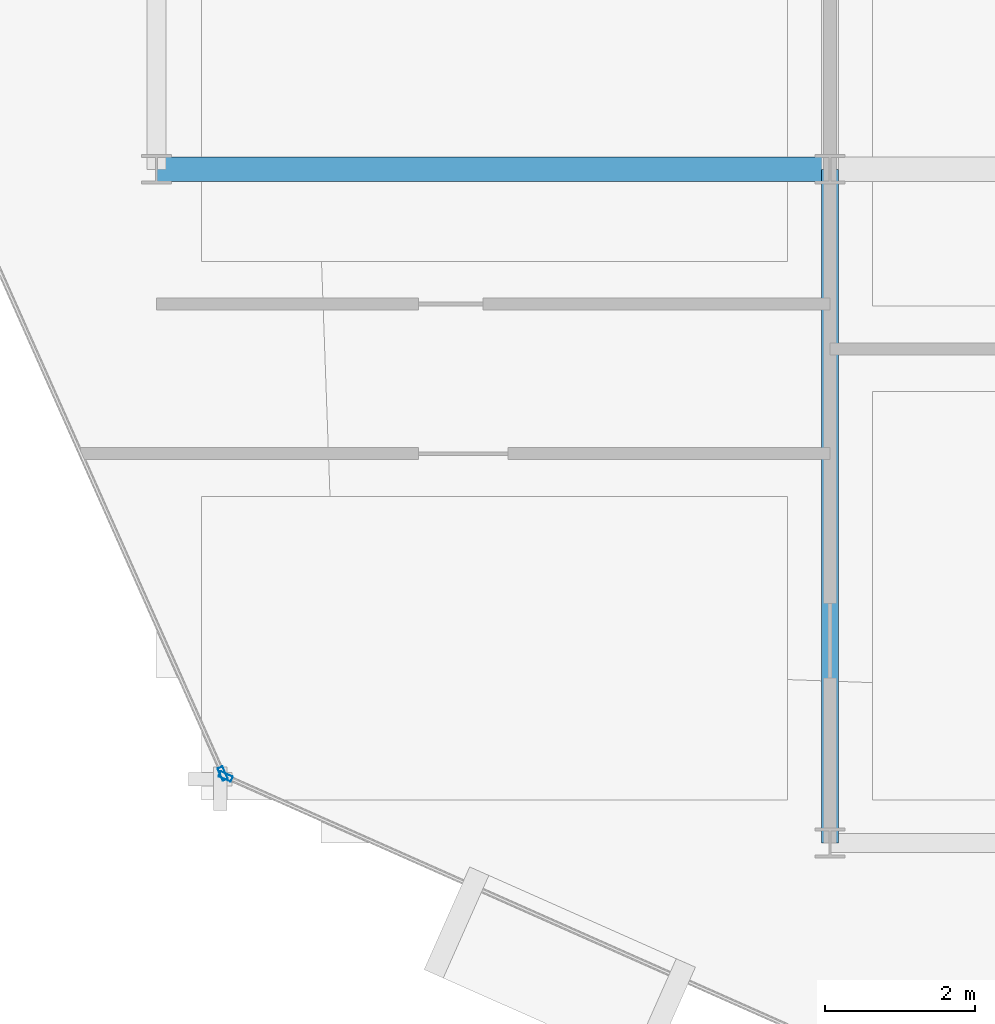
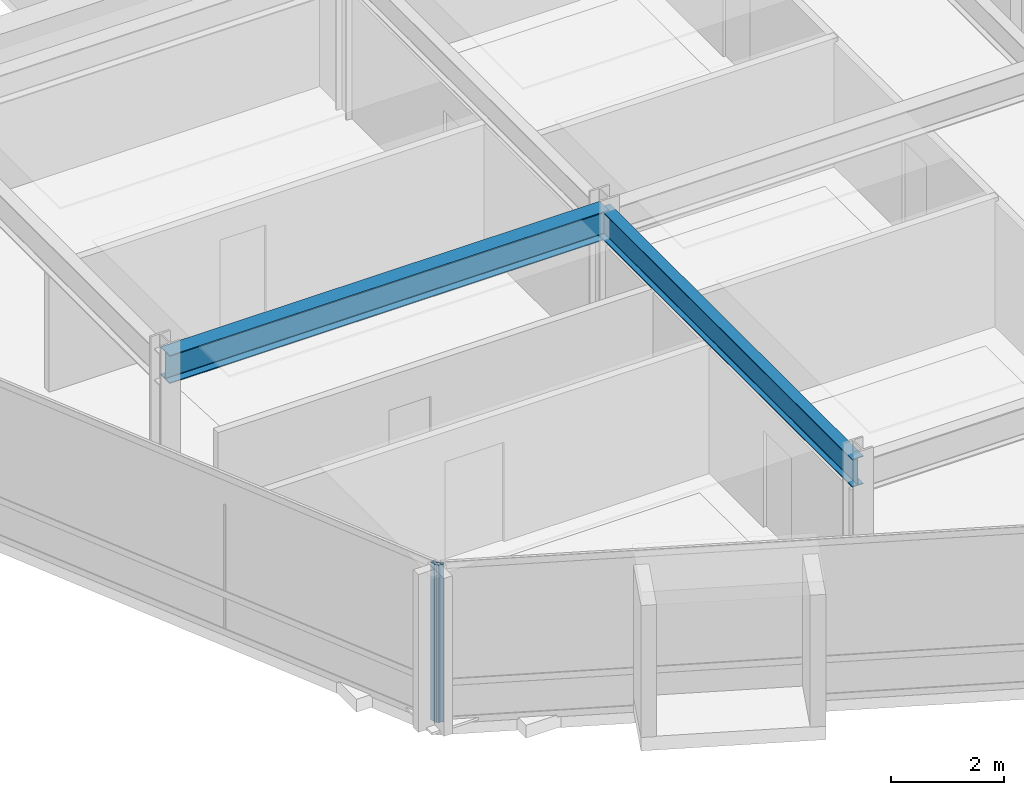
# One storey, part 2 of 28: 2 beams, 2 members, 2 elements without a shape of their own.
"""IFC4 building model written with IfcOpenShell, lengths in metres."""

from ifc_helpers import new_model, si_unit, direction, frame, origin, origin_2d, place, context, subcontext, project, spatial, hollow_rectangle, i_section, extrude, material, layer, layer_set, material_profile, profile_set, type_object, element, aggregate, save


model = new_model("IFC4")

# Units and contexts
model_context = context("Model", 3, precision=1e-05, world=origin(), true_north=direction((0.0, 1.0)))
body_context = subcontext(model_context, "Body", "Model", "MODEL_VIEW")
ifc_project = project(units=[si_unit("LENGTHUNIT", "METRE"), si_unit("AREAUNIT", "SQUARE_METRE"), si_unit("VOLUMEUNIT", "CUBIC_METRE"), si_unit("PLANEANGLEUNIT", "RADIAN"), si_unit("MASSUNIT", "GRAM", prefix="KILO")], contexts=[model_context])

# Site, building, storey
site_placement = place(None, origin())
site = spatial("IfcSite", under=ifc_project, at=site_placement, CompositionType="ELEMENT")
building_placement = place(site_placement, origin())
building = spatial("IfcBuilding", under=site, at=building_placement, Name="Solvaryn Broadcast Tower", CompositionType="ELEMENT")
storey_placement = place(building_placement, frame((0.0, 0.0, 213.60009765625)))
storey = spatial("IfcBuildingStorey", under=building, at=storey_placement, Name="L53", CompositionType="ELEMENT", Elevation=213.60009765625)

# Beams
ifc_material_1 = material(Name="Steel ASTM A992 Grade 50", Category="steel")
ifc_material_profile_1 = material_profile(ifc_material_1, i_section(OverallWidth=0.323974609375, OverallDepth=0.611083984375, WebThickness=0.0126953125, FlangeThickness=0.01904296875, FilletRadius=0.014892578125, at=origin_2d()))
ifc_profile_set_1 = profile_set([ifc_material_profile_1], Name="Steel ASTM A992 Grade 50")
beam_type_1 = type_object("IfcBeamType", Name="BM-B1-W24X104", PredefinedType="BEAM", material=ifc_profile_set_1)
beam_1_placement = place(storey_placement, frame((9.0, 18.0, 3.114501953125), z_axis=(1.0, 0.0, 0.0), x_axis=(0.0, 1.0, 0.0)))
element("IfcBeam", 1, at=beam_1_placement, inside=storey, type_object=beam_type_1, Name="L53 Primary Beam X (9-18 @ Y=18)", PredefinedType="BEAM", context=body_context, shape_type="SweptSolid", body=[
    extrude(i_section(OverallWidth=0.323974609375, OverallDepth=0.611083984375, WebThickness=0.0126953125, FlangeThickness=0.01904296875, FilletRadius=0.014892578125, at=origin_2d()), origin(), (0.0, 0.0, 1.0), 9.0),
])
ifc_material_2 = material(Name="Steel ASTM A992 Grade 50", Category="steel")
ifc_material_profile_2 = material_profile(ifc_material_2, i_section(OverallWidth=0.22802734375, OverallDepth=0.60791015625, WebThickness=0.01123046875, FlangeThickness=0.017333984375, FilletRadius=0.014892578125, at=origin_2d()))
ifc_profile_set_2 = profile_set([ifc_material_profile_2], Name="Steel ASTM A992 Grade 50")
beam_type_2 = type_object("IfcBeamType", Name="BM-B2-W24X76", PredefinedType="BEAM", material=ifc_profile_set_2)
beam_2_placement = place(storey_placement, frame((18.0, 9.0, 3.115966796875), z_axis=(0.0, 1.0, 0.0), x_axis=(-1.0, 0.0, 0.0)))
element("IfcBeam", 2, at=beam_2_placement, inside=storey, type_object=beam_type_2, Name="L53 Primary Beam Y (9-18 @ X=18)", PredefinedType="BEAM", context=body_context, shape_type="SweptSolid", body=[
    extrude(i_section(OverallWidth=0.22802734375, OverallDepth=0.60791015625, WebThickness=0.01123046875, FlangeThickness=0.017333984375, FilletRadius=0.014892578125, at=origin_2d()), origin(), (0.0, 0.0, 1.0), 9.0),
])

# Curtain wall, member
ifc_material_3 = material(Name="Aluminium and Terracotta Unitised Curtain Wall", Category="masonry")
ifc_layer = layer(ifc_material_3, 0.199951171875)
ifc_layer_set = layer_set([ifc_layer], Name="CW-SYS2-LOWMID")
curtain_wall_type = type_object("IfcCurtainWallType", Name="CW-SYS2-LOWMID", PredefinedType="NOTDEFINED", material=ifc_layer_set)
curtain_wall_1_placement = place(storey_placement, origin())
curtain_wall_1 = element("IfcCurtainWall", 3, at=curtain_wall_1_placement, inside=storey, type_object=curtain_wall_type, Name="L53 Curtain Wall DR2", PredefinedType="NOTDEFINED")
ifc_material_4 = material(Name="Anodised Aluminium 6063-T6", Category="aluminium")
ifc_material_profile_3 = material_profile(ifc_material_4, hollow_rectangle(XDim=0.074951171875, YDim=0.179931640625, WallThickness=0.00390625, InnerFilletRadius=0.00390625, OuterFilletRadius=0.008056640625, at=origin_2d()))
ifc_profile_set_3 = profile_set([ifc_material_profile_3], Name="Anodised Aluminium 6063-T6")
member_type = type_object("IfcMemberType", Name="CW-MUL-180", PredefinedType="MULLION", material=ifc_profile_set_3)
member_1_placement = place(storey_placement, frame((9.8857421875, 9.925537109375, 0.0), z_axis=(0.0, 0.0, 1.0), x_axis=(0.913916902365, 0.405901337237, 0.0)))
member_1 = element("IfcMember", 4, at=member_1_placement, type_object=member_type, Name="CWS2 mullion 2", PredefinedType="MULLION", context=body_context, shape_type="SweptSolid", body=[
    extrude(hollow_rectangle(XDim=0.074951171875, YDim=0.179931640625, WallThickness=0.00390625, InnerFilletRadius=0.00390625, OuterFilletRadius=0.008056640625, at=origin_2d()), origin(), (0.0, 0.0, 1.0), 3.419921875),
])
aggregate(curtain_wall_1, [member_1])

curtain_wall_2_placement = place(storey_placement, origin())
curtain_wall_2 = element("IfcCurtainWall", 5, at=curtain_wall_2_placement, inside=storey, type_object=curtain_wall_type, Name="L53 Curtain Wall DR3", PredefinedType="NOTDEFINED")
member_2_placement = place(storey_placement, frame((9.925537109375, 9.8857421875, 0.0), z_axis=(0.0, 0.0, 1.0), x_axis=(0.405901337237, 0.913916902365, 0.0)))
member_2 = element("IfcMember", 6, at=member_2_placement, type_object=member_type, Name="CWS2 mullion 1", PredefinedType="MULLION", context=body_context, shape_type="SweptSolid", body=[
    extrude(hollow_rectangle(XDim=0.074951171875, YDim=0.179931640625, WallThickness=0.00390625, InnerFilletRadius=0.00390625, OuterFilletRadius=0.008056640625, at=origin_2d()), origin(), (0.0, 0.0, 1.0), 3.419921875),
])
aggregate(curtain_wall_2, [member_2])

save(model, "model.ifc")
